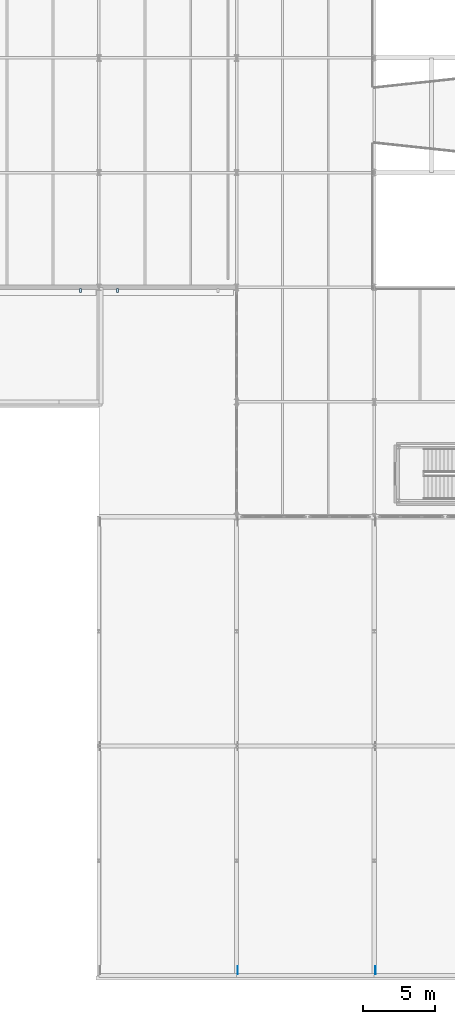
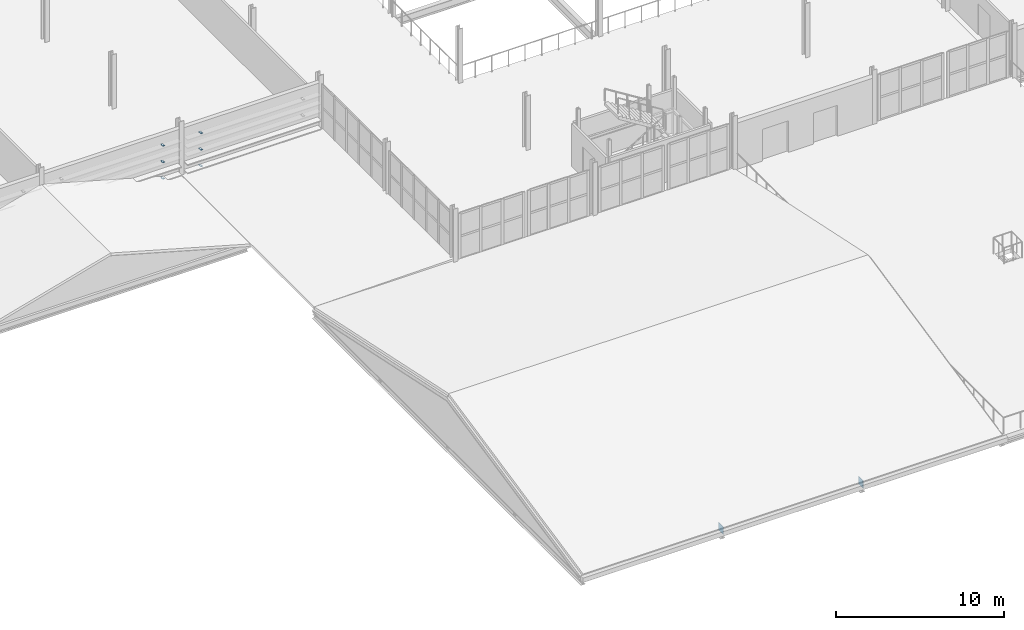
# One storey, part 66 of 85: 8 plates.
"""IFC4 building model written with IfcOpenShell, lengths in metres."""

from ifc_helpers import new_model, si_unit, direction, frame, origin, origin_2d, place, context, subcontext, project, spatial, rectangle, extrude, material, layer, layer_set, type_object, element, save


model = new_model("IFC4")

# Units and contexts
model_context = context("Model", 3, precision=1e-05, world=origin(), true_north=direction((0.0, 1.0)))
body_context = subcontext(model_context, "Body", "Model", "MODEL_VIEW")
ifc_project = project(units=[si_unit("LENGTHUNIT", "METRE"), si_unit("AREAUNIT", "SQUARE_METRE"), si_unit("VOLUMEUNIT", "CUBIC_METRE"), si_unit("PLANEANGLEUNIT", "RADIAN"), si_unit("MASSUNIT", "GRAM", prefix="KILO")], contexts=[model_context])

# Site, building, storey
site_placement = place(None, origin())
site = spatial("IfcSite", under=ifc_project, at=site_placement, CompositionType="ELEMENT")
building_placement = place(site_placement, origin())
building = spatial("IfcBuilding", under=site, at=building_placement, Name="Alderhovde Museum", CompositionType="ELEMENT")
storey_placement = place(building_placement, frame((0.0, 0.0, 8.699951171875)))
storey = spatial("IfcBuildingStorey", under=building, at=storey_placement, Name="L02", CompositionType="ELEMENT", Elevation=8.699951171875)

# Plates
ifc_material_1 = material(Name="Steel S355J2", Category="steel")
ifc_layer_1 = layer(ifc_material_1, 0.02001953125)
ifc_layer_set_1 = layer_set([ifc_layer_1], Name="Steel S355J2")
plate_type_1 = type_object("IfcPlateType", Name="LV-BRACKET", PredefinedType="USERDEFINED", material=ifc_layer_set_1)
for number, where, z_axis, x_axis, name in (
    (1, (65.89599609375, 47.77001953125, 0.2900390625), (0.0, 0.0, 1.0), (1.0, 0.0, 0.0), "L02 Louvre Support Bracket 107-2"),
    (2, (65.89599609375, 47.77001953125, 1.489990234375), (0.0, 0.0, 1.0), (1.0, 0.0, 0.0), "L02 Louvre Support Bracket 109-2"),
    (3, (65.89599609375, 47.77001953125, 2.68994140625), (0.0, 0.0, 1.0), (1.0, 0.0, 0.0), "L02 Louvre Support Bracket 111-2"),
    (4, (68.50390625, 47.77001953125, 0.2900390625), (0.0, 0.0, 1.0), (1.0, 0.0, 0.0), "L02 Louvre Support Bracket 112-1"),
    (5, (68.50390625, 47.77001953125, 1.489990234375), (0.0, 0.0, 1.0), (1.0, 0.0, 0.0), "L02 Louvre Support Bracket 114-1"),
    (6, (68.50390625, 47.77001953125, 2.68994140625), (0.0, 0.0, 1.0), (1.0, 0.0, 0.0), "L02 Louvre Support Bracket 116-1"),
):
    element("IfcPlate", number, at=place(storey_placement, frame(where, z_axis=z_axis, x_axis=x_axis)), inside=storey, type_object=plate_type_1, Name=name, ObjectType="BRACKET PLATE", PredefinedType="USERDEFINED", context=body_context, shape_type="SweptSolid", body=[
        extrude(rectangle(XDim=0.139892578125, YDim=0.260009765625, at=origin_2d()), origin(), (0.0, 0.0, 1.0), 0.02001953125),
    ])
ifc_material_2 = material(Name="Steel S355J2", Category="steel")
ifc_layer_2 = layer(ifc_material_2, 0.02197265625)
ifc_layer_set_2 = layer_set([ifc_layer_2], Name="Steel S355J2")
plate_type_2 = type_object("IfcPlateType", Name="PLT-GUSSET-22", PredefinedType="USERDEFINED", material=ifc_layer_set_2)
for number, where, z_axis, x_axis, name in (
    (7, (76.8798828125, 0.35009765625, -0.530029296875), (0.0, 0.0, 1.0), (1.0, 0.0, 0.0), "Auditorium Truss Gusset X=76.8-1"),
    (8, (86.47998046875, 0.35009765625, -0.530029296875), (0.0, 0.0, 1.0), (1.0, 0.0, 0.0), "Auditorium Truss Gusset X=86.4-1"),
):
    element("IfcPlate", number, at=place(storey_placement, frame(where, z_axis=z_axis, x_axis=x_axis)), inside=storey, type_object=plate_type_2, Name=name, ObjectType="GUSSET PLATE", PredefinedType="USERDEFINED", context=body_context, shape_type="SweptSolid", body=[
        extrude(rectangle(XDim=0.02197265625, YDim=0.56005859375, at=origin_2d()), origin(), (0.0, 0.0, 1.0), 0.56005859375),
    ])

save(model, "model.ifc")
